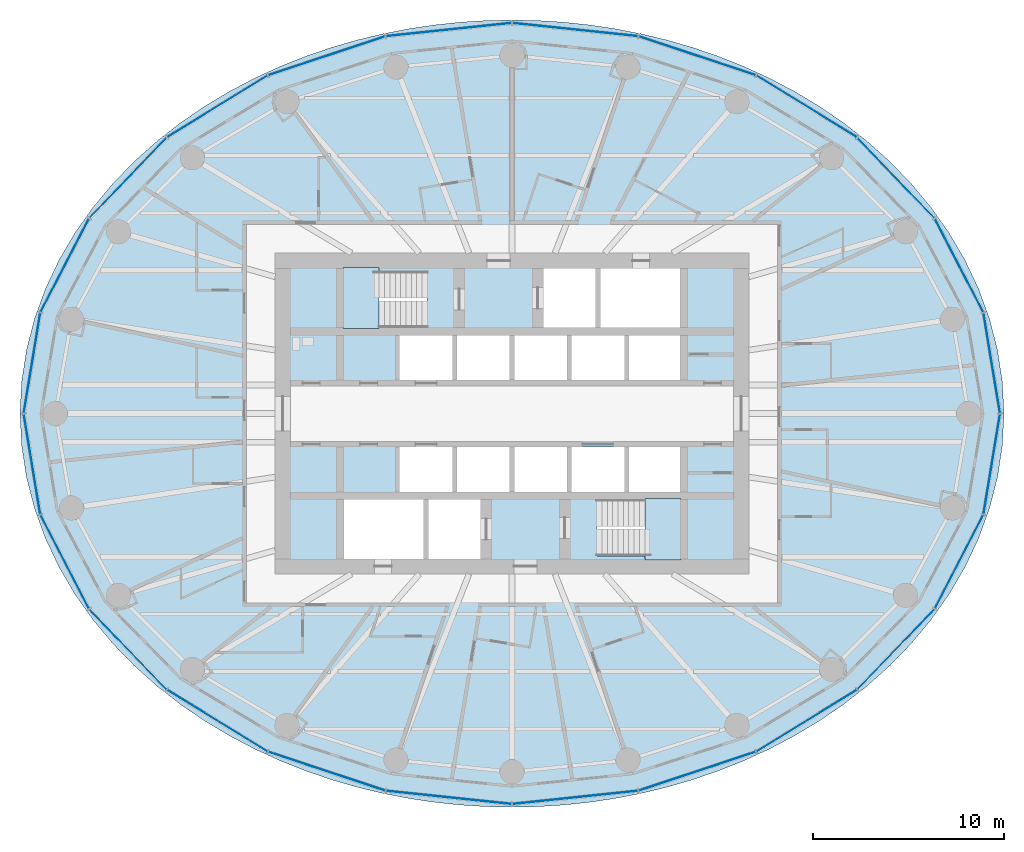
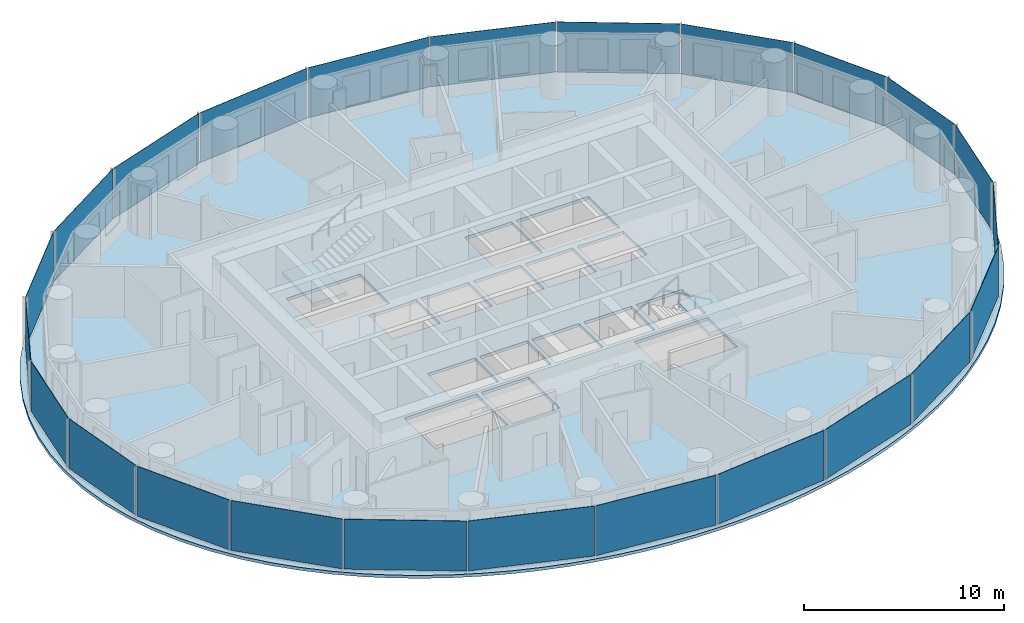
# One storey, part 5 of 14: 24 plates, 3 slabs, 6 elements without a shape of their own.
"""IFC4 building model written with IfcOpenShell, lengths in metres."""

from ifc_helpers import new_model, si_unit, direction, frame, origin, origin_2d, place, context, subcontext, project, spatial, polyline, rectangle, outline, extrude, material, layer, layer_set, type_object, element, aggregate, save


model = new_model("IFC4")

# Units and contexts
model_context = context("Model", 3, precision=1e-05, world=origin(), true_north=direction((0.0, 1.0)))
body_context = subcontext(model_context, "Body", "Model", "MODEL_VIEW")
ifc_project = project(units=[si_unit("LENGTHUNIT", "METRE"), si_unit("AREAUNIT", "SQUARE_METRE"), si_unit("VOLUMEUNIT", "CUBIC_METRE"), si_unit("PLANEANGLEUNIT", "RADIAN"), si_unit("MASSUNIT", "GRAM", prefix="KILO")], contexts=[model_context])

# Site, building, storey
site_placement = place(None, origin())
site = spatial("IfcSite", under=ifc_project, at=site_placement, CompositionType="ELEMENT")
building_placement = place(site_placement, origin())
building = spatial("IfcBuilding", under=site, at=building_placement, Name="Hankou Lantern Tower", CompositionType="ELEMENT")
storey_placement = place(building_placement, frame((0.0, 0.0, 112.199951171875)))
storey = spatial("IfcBuildingStorey", under=building, at=storey_placement, Name="L28", CompositionType="ELEMENT", Elevation=112.199951171875)

# Curtain wall, plates
ifc_material_1 = material(Name="Glass, dark grey tinted laminated", Category="glass")
curtain_wall_type = type_object("IfcCurtainWallType", Name="CWB OUTER SKIN MID-RISE", PredefinedType="USERDEFINED", material=ifc_material_1)
curtain_wall_1_placement = place(storey_placement, origin())
curtain_wall_1 = element("IfcCurtainWall", 1, at=curtain_wall_1_placement, inside=storey, type_object=curtain_wall_type, Name="CWB L28 OS1", ObjectType="OUTER SKIN MID-RISE", PredefinedType="USERDEFINED")
ifc_material_2 = material(Name="Glass, dark grey tinted laminated", Category="glass")
ifc_layer_1 = layer(ifc_material_2, 0.02392578125)
ifc_layer_set_1 = layer_set([ifc_layer_1], Name="Glass, dark grey tinted laminated")
plate_type = type_object("IfcPlateType", Name="PN1 OUTER SKIN GLASS PANEL", PredefinedType="CURTAIN_PANEL", material=ifc_layer_set_1)
plate_1_placement = place(storey_placement, frame((25.11474609375, 2.64501953125, 0.080078125), z_axis=(0.0, 0.0, 1.0), x_axis=(-0.162381515188, 0.986728049427, 0.0)))
plate_1 = element("IfcPlate", 2, at=plate_1_placement, type_object=plate_type, Name="CWB glass panel 1", PredefinedType="CURTAIN_PANEL", context=body_context, shape_type="SweptSolid", body=[
    extrude(rectangle(XDim=5.281494140625, YDim=0.02392578125, at=origin_2d()), origin(), (0.0, 0.0, 1.0), 3.0400390625),
])
plate_2_placement = place(storey_placement, frame((23.403076171875, 7.755126953125, 0.080078125), z_axis=(0.0, 0.0, 1.0), x_axis=(-0.459791091957, 0.888027112062, 0.0)))
plate_2 = element("IfcPlate", 3, at=plate_2_placement, type_object=plate_type, Name="CWB glass panel 2", PredefinedType="CURTAIN_PANEL", context=body_context, shape_type="SweptSolid", body=[
    extrude(rectangle(XDim=5.471435546875, YDim=0.02392578125, at=origin_2d()), origin(), (0.0, 0.0, 1.0), 3.0400390625),
])
plate_3_placement = place(storey_placement, frame((20.0966796875, 12.336669921875, 0.080078125), z_axis=(0.0, 0.0, 1.0), x_axis=(-0.692215809936, 0.721690565599, 0.0)))
plate_3 = element("IfcPlate", 4, at=plate_3_placement, type_object=plate_type, Name="CWB glass panel 3", PredefinedType="CURTAIN_PANEL", context=body_context, shape_type="SweptSolid", body=[
    extrude(rectangle(XDim=5.78564453125, YDim=0.02392578125, at=origin_2d()), origin(), (0.0, 0.0, 1.0), 3.0400390625),
])
plate_4_placement = place(storey_placement, frame((15.4208984375, 16.077392578125, 0.080078125), z_axis=(0.0, 0.0, 1.0), x_axis=(-0.852237151549, 0.523155653242, 0.0)))
plate_4 = element("IfcPlate", 5, at=plate_4_placement, type_object=plate_type, Name="CWB glass panel 4", PredefinedType="CURTAIN_PANEL", context=body_context, shape_type="SweptSolid", body=[
    extrude(rectangle(XDim=6.129150390625, YDim=0.02392578125, at=origin_2d()), origin(), (0.0, 0.0, 1.0), 3.0400390625),
])
plate_5_placement = place(storey_placement, frame((9.69384765625, 18.72265625, 0.080078125), z_axis=(0.0, 0.0, 1.0), x_axis=(-0.949240677293, 0.31455068999, 0.0)))
plate_5 = element("IfcPlate", 6, at=plate_5_placement, type_object=plate_type, Name="CWB glass panel 5", PredefinedType="CURTAIN_PANEL", context=body_context, shape_type="SweptSolid", body=[
    extrude(rectangle(XDim=6.41162109375, YDim=0.02392578125, at=origin_2d()), origin(), (0.0, 0.0, 1.0), 3.0400390625),
])
plate_6_placement = place(storey_placement, frame((3.306396484375, 20.091796875, 0.080078125), z_axis=(0.0, 0.0, 1.0), x_axis=(-0.994499359107, 0.104742659579, 0.0)))
plate_6 = element("IfcPlate", 7, at=plate_6_placement, type_object=plate_type, Name="CWB glass panel 6", PredefinedType="CURTAIN_PANEL", context=body_context, shape_type="SweptSolid", body=[
    extrude(rectangle(XDim=6.5693359375, YDim=0.02392578125, at=origin_2d()), origin(), (0.0, 0.0, 1.0), 3.0400390625),
])
aggregate(curtain_wall_1, [plate_1, plate_2, plate_3, plate_4, plate_5, plate_6])

curtain_wall_2_placement = place(storey_placement, origin())
curtain_wall_2 = element("IfcCurtainWall", 8, at=curtain_wall_2_placement, inside=storey, type_object=curtain_wall_type, Name="CWB L28 OS2", ObjectType="OUTER SKIN MID-RISE", PredefinedType="USERDEFINED")
plate_7_placement = place(storey_placement, frame((-3.306396484375, 20.091796875, 0.080078125), z_axis=(0.0, 0.0, 1.0), x_axis=(-0.994499359107, -0.104742659579, 0.0)))
plate_7 = element("IfcPlate", 9, at=plate_7_placement, type_object=plate_type, Name="CWB glass panel 1", PredefinedType="CURTAIN_PANEL", context=body_context, shape_type="SweptSolid", body=[
    extrude(rectangle(XDim=6.5693359375, YDim=0.02392578125, at=origin_2d()), origin(), (0.0, 0.0, 1.0), 3.0400390625),
])
plate_8_placement = place(storey_placement, frame((-9.69384765625, 18.72265625, 0.080078125), z_axis=(0.0, 0.0, 1.0), x_axis=(-0.949240677293, -0.31455068999, 0.0)))
plate_8 = element("IfcPlate", 10, at=plate_8_placement, type_object=plate_type, Name="CWB glass panel 2", PredefinedType="CURTAIN_PANEL", context=body_context, shape_type="SweptSolid", body=[
    extrude(rectangle(XDim=6.41162109375, YDim=0.02392578125, at=origin_2d()), origin(), (0.0, 0.0, 1.0), 3.0400390625),
])
plate_9_placement = place(storey_placement, frame((-15.4208984375, 16.077392578125, 0.080078125), z_axis=(0.0, 0.0, 1.0), x_axis=(-0.852237151549, -0.523155653242, 0.0)))
plate_9 = element("IfcPlate", 11, at=plate_9_placement, type_object=plate_type, Name="CWB glass panel 3", PredefinedType="CURTAIN_PANEL", context=body_context, shape_type="SweptSolid", body=[
    extrude(rectangle(XDim=6.129150390625, YDim=0.02392578125, at=origin_2d()), origin(), (0.0, 0.0, 1.0), 3.0400390625),
])
plate_10_placement = place(storey_placement, frame((-20.0966796875, 12.336669921875, 0.080078125), z_axis=(0.0, 0.0, 1.0), x_axis=(-0.692215809936, -0.721690565599, 0.0)))
plate_10 = element("IfcPlate", 12, at=plate_10_placement, type_object=plate_type, Name="CWB glass panel 4", PredefinedType="CURTAIN_PANEL", context=body_context, shape_type="SweptSolid", body=[
    extrude(rectangle(XDim=5.78564453125, YDim=0.02392578125, at=origin_2d()), origin(), (0.0, 0.0, 1.0), 3.0400390625),
])
plate_11_placement = place(storey_placement, frame((-23.403076171875, 7.755126953125, 0.080078125), z_axis=(0.0, 0.0, 1.0), x_axis=(-0.459791091957, -0.888027112062, 0.0)))
plate_11 = element("IfcPlate", 13, at=plate_11_placement, type_object=plate_type, Name="CWB glass panel 5", PredefinedType="CURTAIN_PANEL", context=body_context, shape_type="SweptSolid", body=[
    extrude(rectangle(XDim=5.471435546875, YDim=0.02392578125, at=origin_2d()), origin(), (0.0, 0.0, 1.0), 3.0400390625),
])
plate_12_placement = place(storey_placement, frame((-25.11474609375, 2.64501953125, 0.080078125), z_axis=(0.0, 0.0, 1.0), x_axis=(-0.162381515188, -0.986728049427, 0.0)))
plate_12 = element("IfcPlate", 14, at=plate_12_placement, type_object=plate_type, Name="CWB glass panel 6", PredefinedType="CURTAIN_PANEL", context=body_context, shape_type="SweptSolid", body=[
    extrude(rectangle(XDim=5.281494140625, YDim=0.02392578125, at=origin_2d()), origin(), (0.0, 0.0, 1.0), 3.0400390625),
])
aggregate(curtain_wall_2, [plate_7, plate_8, plate_9, plate_10, plate_11, plate_12])

curtain_wall_3_placement = place(storey_placement, origin())
curtain_wall_3 = element("IfcCurtainWall", 15, at=curtain_wall_3_placement, inside=storey, type_object=curtain_wall_type, Name="CWB L28 OS3", ObjectType="OUTER SKIN MID-RISE", PredefinedType="USERDEFINED")
plate_13_placement = place(storey_placement, frame((-25.11474609375, -2.64501953125, 0.080078125), z_axis=(0.0, 0.0, 1.0), x_axis=(0.162381515188, -0.986728049427, 0.0)))
plate_13 = element("IfcPlate", 16, at=plate_13_placement, type_object=plate_type, Name="CWB glass panel 1", PredefinedType="CURTAIN_PANEL", context=body_context, shape_type="SweptSolid", body=[
    extrude(rectangle(XDim=5.281494140625, YDim=0.02392578125, at=origin_2d()), origin(), (0.0, 0.0, 1.0), 3.0400390625),
])
plate_14_placement = place(storey_placement, frame((-23.403076171875, -7.755126953125, 0.080078125), z_axis=(0.0, 0.0, 1.0), x_axis=(0.459791091957, -0.888027112062, 0.0)))
plate_14 = element("IfcPlate", 17, at=plate_14_placement, type_object=plate_type, Name="CWB glass panel 2", PredefinedType="CURTAIN_PANEL", context=body_context, shape_type="SweptSolid", body=[
    extrude(rectangle(XDim=5.471435546875, YDim=0.02392578125, at=origin_2d()), origin(), (0.0, 0.0, 1.0), 3.0400390625),
])
plate_15_placement = place(storey_placement, frame((-20.0966796875, -12.336669921875, 0.080078125), z_axis=(0.0, 0.0, 1.0), x_axis=(0.692215809936, -0.721690565599, 0.0)))
plate_15 = element("IfcPlate", 18, at=plate_15_placement, type_object=plate_type, Name="CWB glass panel 3", PredefinedType="CURTAIN_PANEL", context=body_context, shape_type="SweptSolid", body=[
    extrude(rectangle(XDim=5.78564453125, YDim=0.02392578125, at=origin_2d()), origin(), (0.0, 0.0, 1.0), 3.0400390625),
])
plate_16_placement = place(storey_placement, frame((-15.4208984375, -16.077392578125, 0.080078125), z_axis=(0.0, 0.0, 1.0), x_axis=(0.852237151549, -0.523155653242, 0.0)))
plate_16 = element("IfcPlate", 19, at=plate_16_placement, type_object=plate_type, Name="CWB glass panel 4", PredefinedType="CURTAIN_PANEL", context=body_context, shape_type="SweptSolid", body=[
    extrude(rectangle(XDim=6.129150390625, YDim=0.02392578125, at=origin_2d()), origin(), (0.0, 0.0, 1.0), 3.0400390625),
])
plate_17_placement = place(storey_placement, frame((-9.69384765625, -18.72265625, 0.080078125), z_axis=(0.0, 0.0, 1.0), x_axis=(0.949240677293, -0.31455068999, 0.0)))
plate_17 = element("IfcPlate", 20, at=plate_17_placement, type_object=plate_type, Name="CWB glass panel 5", PredefinedType="CURTAIN_PANEL", context=body_context, shape_type="SweptSolid", body=[
    extrude(rectangle(XDim=6.41162109375, YDim=0.02392578125, at=origin_2d()), origin(), (0.0, 0.0, 1.0), 3.0400390625),
])
plate_18_placement = place(storey_placement, frame((-3.306396484375, -20.091796875, 0.080078125), z_axis=(0.0, 0.0, 1.0), x_axis=(0.994499359107, -0.104742659579, 0.0)))
plate_18 = element("IfcPlate", 21, at=plate_18_placement, type_object=plate_type, Name="CWB glass panel 6", PredefinedType="CURTAIN_PANEL", context=body_context, shape_type="SweptSolid", body=[
    extrude(rectangle(XDim=6.5693359375, YDim=0.02392578125, at=origin_2d()), origin(), (0.0, 0.0, 1.0), 3.0400390625),
])
aggregate(curtain_wall_3, [plate_13, plate_14, plate_15, plate_16, plate_17, plate_18])

curtain_wall_4_placement = place(storey_placement, origin())
curtain_wall_4 = element("IfcCurtainWall", 22, at=curtain_wall_4_placement, inside=storey, type_object=curtain_wall_type, Name="CWB L28 OS4", ObjectType="OUTER SKIN MID-RISE", PredefinedType="USERDEFINED")
plate_19_placement = place(storey_placement, frame((3.306396484375, -20.091796875, 0.080078125), z_axis=(0.0, 0.0, 1.0), x_axis=(0.994499359107, 0.104742659579, 0.0)))
plate_19 = element("IfcPlate", 23, at=plate_19_placement, type_object=plate_type, Name="CWB glass panel 1", PredefinedType="CURTAIN_PANEL", context=body_context, shape_type="SweptSolid", body=[
    extrude(rectangle(XDim=6.5693359375, YDim=0.02392578125, at=origin_2d()), origin(), (0.0, 0.0, 1.0), 3.0400390625),
])
plate_20_placement = place(storey_placement, frame((9.69384765625, -18.72265625, 0.080078125), z_axis=(0.0, 0.0, 1.0), x_axis=(0.949240677293, 0.31455068999, 0.0)))
plate_20 = element("IfcPlate", 24, at=plate_20_placement, type_object=plate_type, Name="CWB glass panel 2", PredefinedType="CURTAIN_PANEL", context=body_context, shape_type="SweptSolid", body=[
    extrude(rectangle(XDim=6.41162109375, YDim=0.02392578125, at=origin_2d()), origin(), (0.0, 0.0, 1.0), 3.0400390625),
])
plate_21_placement = place(storey_placement, frame((15.4208984375, -16.077392578125, 0.080078125), z_axis=(0.0, 0.0, 1.0), x_axis=(0.852237151549, 0.523155653242, 0.0)))
plate_21 = element("IfcPlate", 25, at=plate_21_placement, type_object=plate_type, Name="CWB glass panel 3", PredefinedType="CURTAIN_PANEL", context=body_context, shape_type="SweptSolid", body=[
    extrude(rectangle(XDim=6.129150390625, YDim=0.02392578125, at=origin_2d()), origin(), (0.0, 0.0, 1.0), 3.0400390625),
])
plate_22_placement = place(storey_placement, frame((20.0966796875, -12.336669921875, 0.080078125), z_axis=(0.0, 0.0, 1.0), x_axis=(0.692215809936, 0.721690565599, 0.0)))
plate_22 = element("IfcPlate", 26, at=plate_22_placement, type_object=plate_type, Name="CWB glass panel 4", PredefinedType="CURTAIN_PANEL", context=body_context, shape_type="SweptSolid", body=[
    extrude(rectangle(XDim=5.78564453125, YDim=0.02392578125, at=origin_2d()), origin(), (0.0, 0.0, 1.0), 3.0400390625),
])
plate_23_placement = place(storey_placement, frame((23.403076171875, -7.755126953125, 0.080078125), z_axis=(0.0, 0.0, 1.0), x_axis=(0.459791091957, 0.888027112062, 0.0)))
plate_23 = element("IfcPlate", 27, at=plate_23_placement, type_object=plate_type, Name="CWB glass panel 5", PredefinedType="CURTAIN_PANEL", context=body_context, shape_type="SweptSolid", body=[
    extrude(rectangle(XDim=5.471435546875, YDim=0.02392578125, at=origin_2d()), origin(), (0.0, 0.0, 1.0), 3.0400390625),
])
plate_24_placement = place(storey_placement, frame((25.11474609375, -2.64501953125, 0.080078125), z_axis=(0.0, 0.0, 1.0), x_axis=(0.162381515188, 0.986728049427, 0.0)))
plate_24 = element("IfcPlate", 28, at=plate_24_placement, type_object=plate_type, Name="CWB glass panel 6", PredefinedType="CURTAIN_PANEL", context=body_context, shape_type="SweptSolid", body=[
    extrude(rectangle(XDim=5.281494140625, YDim=0.02392578125, at=origin_2d()), origin(), (0.0, 0.0, 1.0), 3.0400390625),
])
aggregate(curtain_wall_4, [plate_19, plate_20, plate_21, plate_22, plate_23, plate_24])

# Slab
ifc_material_3 = material(Name="Concrete C50", Category="concrete")
ifc_layer_2 = layer(ifc_material_3, 0.179931640625)
ifc_layer_set_2 = layer_set([ifc_layer_2], Name="Concrete C50")
slab_type_1 = type_object("IfcSlabType", Name="S1 CONCRETE FLOOR SLAB 180", PredefinedType="FLOOR", material=ifc_layer_set_2)
slab_1_placement = place(storey_placement, frame((0.0, 0.0, -0.179931640625)))
element("IfcSlab", 29, at=slab_1_placement, inside=storey, type_object=slab_type_1, Name="Floor slab L28", PredefinedType="FLOOR", context=body_context, shape_type="SweptSolid", body=[
    extrude(outline(polyline([(25.75, 0.0), (25.6640625, 1.68212890625), (25.408203125, 3.344970703125), (24.9892578125, 4.970703125), (24.416748046875, 6.54248046875), (23.704345703125, 8.046630859375), (22.86669921875, 9.4716796875), (21.919921875, 10.809814453125), (20.88037109375, 12.05517578125), (19.763427734375, 13.205322265625), (18.58349609375, 14.259765625), (17.35400390625, 15.218994140625), (16.0859375, 16.0859375), (14.7890625, 16.863525390625), (13.47119140625, 17.55615234375), (12.138916015625, 18.167236328125), (10.79736328125, 18.701416015625), (9.449951171875, 19.16259765625), (8.099609375, 19.554443359375), (6.748291015625, 19.8798828125), (5.397216796875, 20.142333984375), (4.046630859375, 20.343994140625), (2.697021484375, 20.486572265625), (1.348388671875, 20.57177734375), (0.0, 20.60009765625), (-1.348388671875, 20.57177734375), (-2.697021484375, 20.486572265625), (-4.046630859375, 20.343994140625), (-5.397216796875, 20.142333984375), (-6.748291015625, 19.8798828125), (-8.099609375, 19.554443359375), (-9.449951171875, 19.16259765625), (-10.79736328125, 18.701416015625), (-12.138916015625, 18.167236328125), (-13.47119140625, 17.55615234375), (-14.7890625, 16.863525390625), (-16.0859375, 16.0859375), (-17.35400390625, 15.218994140625), (-18.58349609375, 14.259765625), (-19.763427734375, 13.205322265625), (-20.88037109375, 12.05517578125), (-21.919921875, 10.809814453125), (-22.86669921875, 9.4716796875), (-23.704345703125, 8.046630859375), (-24.416748046875, 6.54248046875), (-24.9892578125, 4.970703125), (-25.408203125, 3.344970703125), (-25.6640625, 1.68212890625), (-25.75, 0.0), (-25.6640625, -1.68212890625), (-25.408203125, -3.344970703125), (-24.9892578125, -4.970703125), (-24.416748046875, -6.54248046875), (-23.704345703125, -8.046630859375), (-22.86669921875, -9.4716796875), (-21.919921875, -10.809814453125), (-20.88037109375, -12.05517578125), (-19.763427734375, -13.205322265625), (-18.58349609375, -14.259765625), (-17.35400390625, -15.218994140625), (-16.0859375, -16.0859375), (-14.7890625, -16.863525390625), (-13.47119140625, -17.55615234375), (-12.138916015625, -18.167236328125), (-10.79736328125, -18.701416015625), (-9.449951171875, -19.16259765625), (-8.099609375, -19.554443359375), (-6.748291015625, -19.8798828125), (-5.397216796875, -20.142333984375), (-4.046630859375, -20.343994140625), (-2.697021484375, -20.486572265625), (-1.348388671875, -20.57177734375), (0.0, -20.60009765625), (1.348388671875, -20.57177734375), (2.697021484375, -20.486572265625), (4.046630859375, -20.343994140625), (5.397216796875, -20.142333984375), (6.748291015625, -19.8798828125), (8.099609375, -19.554443359375), (9.449951171875, -19.16259765625), (10.79736328125, -18.701416015625), (12.138916015625, -18.167236328125), (13.47119140625, -17.55615234375), (14.7890625, -16.863525390625), (16.0859375, -16.0859375), (17.35400390625, -15.218994140625), (18.58349609375, -14.259765625), (19.763427734375, -13.205322265625), (20.88037109375, -12.05517578125), (21.919921875, -10.809814453125), (22.86669921875, -9.4716796875), (23.704345703125, -8.046630859375), (24.416748046875, -6.54248046875), (24.9892578125, -4.970703125), (25.408203125, -3.344970703125), (25.6640625, -1.68212890625), (25.75, 0.0)]), holes=[polyline([(-5.875, 4.10009765625), (-3.125, 4.10009765625), (-3.125, 1.75), (-5.875, 1.75), (-5.875, 4.10009765625)]), polyline([(-2.875, 4.10009765625), (-0.125, 4.10009765625), (-0.125, 1.75), (-2.875, 1.75), (-2.875, 4.10009765625)]), polyline([(0.125, 4.10009765625), (2.875, 4.10009765625), (2.875, 1.75), (0.125, 1.75), (0.125, 4.10009765625)]), polyline([(3.125, 4.10009765625), (5.875, 4.10009765625), (5.875, 1.75), (3.125, 1.75), (3.125, 4.10009765625)]), polyline([(6.125, 4.10009765625), (8.800048828125, 4.10009765625), (8.800048828125, 1.75), (6.125, 1.75), (6.125, 4.10009765625)]), polyline([(-5.875, -1.75), (-3.125, -1.75), (-3.125, -4.10009765625), (-5.875, -4.10009765625), (-5.875, -1.75)]), polyline([(-2.875, -1.75), (-0.125, -1.75), (-0.125, -4.10009765625), (-2.875, -4.10009765625), (-2.875, -1.75)]), polyline([(0.125, -1.75), (2.875, -1.75), (2.875, -4.10009765625), (0.125, -4.10009765625), (0.125, -1.75)]), polyline([(3.125, -1.75), (5.875, -1.75), (5.875, -4.10009765625), (3.125, -4.10009765625), (3.125, -1.75)]), polyline([(6.125, -1.75), (8.800048828125, -1.75), (8.800048828125, -4.10009765625), (6.125, -4.10009765625), (6.125, -1.75)]), polyline([(1.64990234375, 7.60009765625), (4.375, 7.60009765625), (4.375, 4.5), (1.64990234375, 4.5), (1.64990234375, 7.60009765625)]), polyline([(-4.375, -4.5), (-1.64990234375, -4.5), (-1.64990234375, -7.60009765625), (-4.375, -7.60009765625), (-4.375, -4.5)]), polyline([(-8.699951171875, 7.449951171875), (-4.449951171875, 7.449951171875), (-4.449951171875, 4.5), (-8.699951171875, 4.5), (-8.699951171875, 7.449951171875)]), polyline([(4.449951171875, -4.5), (8.699951171875, -4.5), (8.699951171875, -7.449951171875), (4.449951171875, -7.449951171875), (4.449951171875, -4.5)]), polyline([(4.625, 7.60009765625), (8.800048828125, 7.60009765625), (8.800048828125, 4.5), (4.625, 4.5), (4.625, 7.60009765625)]), polyline([(-8.800048828125, -4.5), (-4.625, -4.5), (-4.625, -7.60009765625), (-8.800048828125, -7.60009765625), (-8.800048828125, -4.5)])]), origin(), (0.0, 0.0, 1.0), 0.179931640625),
])

# Stair, slab
ifc_material_4 = material(Name="Concrete C40", Category="concrete")
stair_type = type_object("IfcStairType", Name="ST33 CORE STAIR 3300 RISE", PredefinedType="HALF_TURN_STAIR", material=ifc_material_4)
stair_1_placement = place(storey_placement, origin())
stair_1 = element("IfcStair", 30, at=stair_1_placement, inside=storey, type_object=stair_type, Name="Stair STA L28", PredefinedType="HALF_TURN_STAIR")
ifc_material_5 = material(Name="Concrete C40", Category="concrete")
ifc_layer_3 = layer(ifc_material_5, 0.199951171875)
ifc_layer_set_3 = layer_set([ifc_layer_3], Name="Concrete C40")
slab_type_2 = type_object("IfcSlabType", Name="SL1 STAIR LANDING 200", PredefinedType="LANDING", material=ifc_layer_set_3)
slab_2_placement = place(storey_placement, frame((0.0, 0.0, 1.37158203125)))
slab_2 = element("IfcSlab", 31, at=slab_2_placement, type_object=slab_type_2, Name="STA landing 1", PredefinedType="LANDING", context=body_context, shape_type="SweptSolid", body=[
    extrude(outline(polyline([(-8.85009765625, 4.449951171875), (-6.949951171875, 4.449951171875), (-6.949951171875, 7.64990234375), (-8.85009765625, 7.64990234375), (-8.85009765625, 4.449951171875)])), origin(), (0.0, 0.0, 1.0), 0.199951171875),
])
aggregate(stair_1, [slab_2])

stair_2_placement = place(storey_placement, origin())
stair_2 = element("IfcStair", 32, at=stair_2_placement, inside=storey, type_object=stair_type, Name="Stair STB L28", PredefinedType="HALF_TURN_STAIR")
slab_3_placement = place(storey_placement, frame((0.0, 0.0, 1.37158203125)))
slab_3 = element("IfcSlab", 33, at=slab_3_placement, type_object=slab_type_2, Name="STB landing 1", PredefinedType="LANDING", context=body_context, shape_type="SweptSolid", body=[
    extrude(outline(polyline([(8.85009765625, -4.449951171875), (6.949951171875, -4.449951171875), (6.949951171875, -7.64990234375), (8.85009765625, -7.64990234375), (8.85009765625, -4.449951171875)])), origin(), (0.0, 0.0, 1.0), 0.199951171875),
])
aggregate(stair_2, [slab_3])

save(model, "model.ifc")
